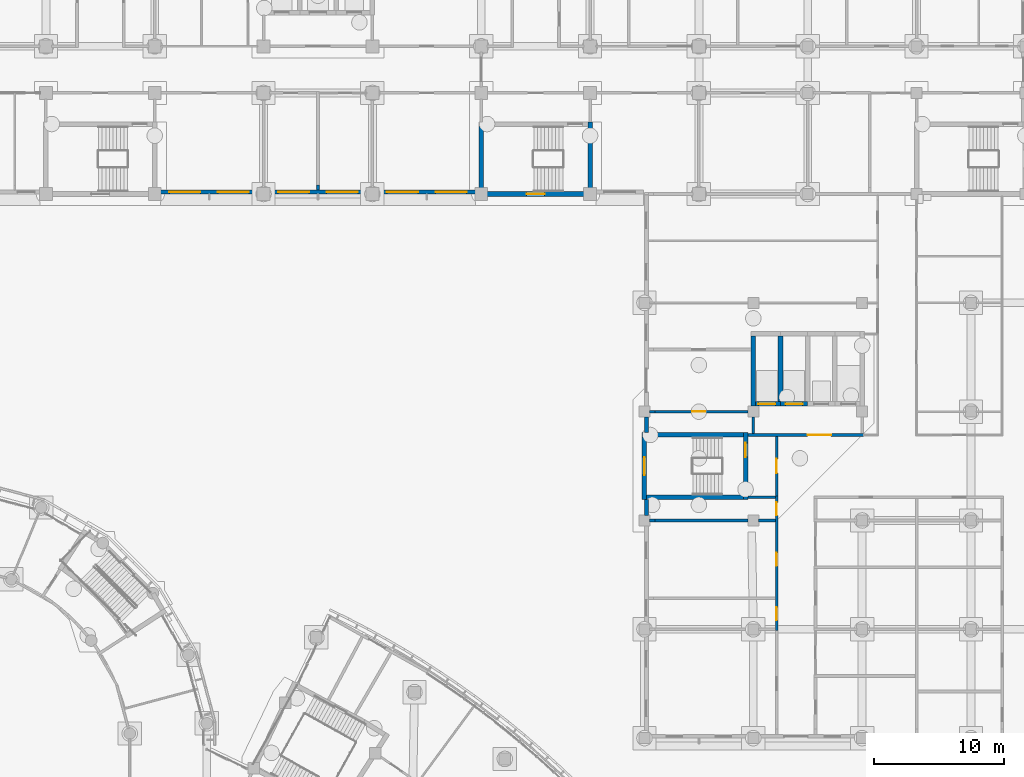
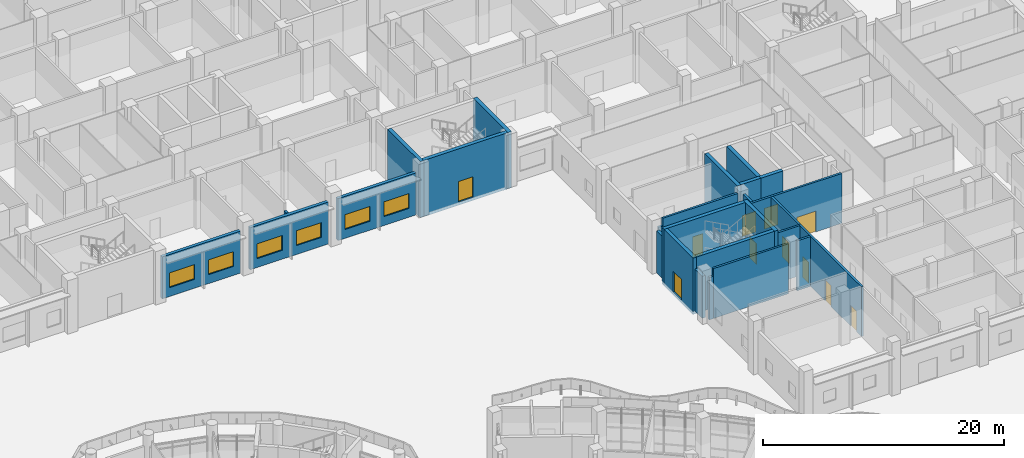
# One storey, part 82 of 146: 27 walls, 11 doors, 6 windows, 17 openings.
"""IFC4 building model written with IfcOpenShell, lengths in metres."""

import ifcopenshell
import ifcopenshell.guid

model = None  # the IFC model being written
_history = None  # IfcOwnerHistory: only IFC2X3 demands one
_inside = {}  # id of a spatial element -> (the spatial element, [elements in it])
_under = {}  # id of a project, library or spatial element -> (it, [spatial elements below it])
_declared = {}  # id of a project -> (the project, [libraries it declares])
_typed = {}  # id of a type object -> (the type object, [elements of that type])
_made_of = {}  # id of a material, layer set ... -> (it, [elements and type objects made of it])


def new_model(schema):
    """Start an empty IFC model of exactly this schema.

    Asked for "IFC4X3", IfcOpenShell would pick the latest addendum, in which some entities
    have other attributes; the version numbers below select the first issue.
    IFC2X3 requires an IfcOwnerHistory on every rooted entity: one is made here for all.
    """
    global model, _history
    if schema == "IFC4X3":
        model = ifcopenshell.file(schema_version=(4, 3, 0, 0))
    else:
        model = ifcopenshell.file(schema=schema)
    _inside.clear()
    _under.clear()
    _declared.clear()
    _typed.clear()
    _made_of.clear()
    _history = None
    if model.schema == "IFC2X3":
        org = make("IfcOrganization", Name="unknown")
        user = make(
            "IfcPersonAndOrganization",
            ThePerson=make("IfcPerson", FamilyName="unknown"),
            TheOrganization=org,
        )
        app = make(
            "IfcApplication",
            ApplicationDeveloper=org,
            Version="unknown",
            ApplicationFullName="unknown",
            ApplicationIdentifier="unknown",
        )
        _history = make(
            "IfcOwnerHistory",
            OwningUser=user,
            OwningApplication=app,
            ChangeAction="ADDED",
            CreationDate=0,
        )
    return model


def make(cls, **values):
    """One entity of the class cls with the attributes given. An attribute that is None is left unset."""
    return model.create_entity(
        cls, **{name: value for name, value in values.items() if value is not None}
    )


def rooted(cls, **values):
    """An entity with a GlobalId (a new one), such as an element, a storey or a relation."""
    return make(cls, GlobalId=ifcopenshell.guid.new(), OwnerHistory=_history, **values)


def si_unit(unit_type, name, prefix=None):
    """IfcSIUnit, for example si_unit("LENGTHUNIT", "METRE", prefix="MILLI")."""
    return make("IfcSIUnit", UnitType=unit_type, Prefix=prefix, Name=name)


def assignment(units):
    """IfcUnitAssignment: the units of a project."""
    return None if units is None else make("IfcUnitAssignment", Units=units)


def point(xyz):
    """IfcCartesianPoint."""
    return None if xyz is None else make("IfcCartesianPoint", Coordinates=xyz)


def direction(xyz):
    """IfcDirection."""
    return None if xyz is None else make("IfcDirection", DirectionRatios=xyz)


def frame(location, z_axis=None, x_axis=None):
    """IfcAxis2Placement3D, a coordinate frame: its origin and axes. An axis left out is left unset."""
    return make(
        "IfcAxis2Placement3D",
        Location=point(location),
        Axis=direction(z_axis),
        RefDirection=direction(x_axis),
    )


def frame_2d(location, x_axis=None):
    """IfcAxis2Placement2D, a coordinate frame in the plane: its origin and x axis."""
    return make(
        "IfcAxis2Placement2D", Location=point(location), RefDirection=direction(x_axis)
    )


def origin():
    """The frame at (0, 0, 0) with its axes left unset."""
    return frame((0.0, 0.0, 0.0))


def place(relative_to, where):
    """IfcLocalPlacement: puts the frame where relative to a parent placement (None: the world)."""
    return make(
        "IfcLocalPlacement", PlacementRelTo=relative_to, RelativePlacement=where
    )


def context(
    kind, dimensions, precision=None, world=None, true_north=None, identifier=None
):
    """IfcGeometricRepresentationContext, for example the 3D "Model" context."""
    return make(
        "IfcGeometricRepresentationContext",
        ContextIdentifier=identifier,
        ContextType=kind,
        CoordinateSpaceDimension=dimensions,
        Precision=precision,
        WorldCoordinateSystem=world,
        TrueNorth=true_north,
    )


def subcontext(parent, identifier, kind, view, scale=None):
    """IfcGeometricRepresentationSubContext, for example "Body" below "Model"."""
    return make(
        "IfcGeometricRepresentationSubContext",
        ContextIdentifier=identifier,
        ContextType=kind,
        ParentContext=parent,
        TargetScale=scale,
        TargetView=view,
    )


def project(units=None, contexts=None):
    """IfcProject with its units and contexts."""
    return rooted(
        "IfcProject",
        Name="project",
        RepresentationContexts=contexts,
        UnitsInContext=assignment(units),
    )


def spatial(cls, under=None, at=None, **own):
    """A site, building, storey or space (cls), placed at a placement, below another one or the project."""
    s = rooted(cls, ObjectPlacement=at, **own)
    if under is not None:
        _under.setdefault(under.id(), (under, []))[1].append(s)
    return s


def profile(cls, at=None, kind="AREA", **sizes):
    """A parametric profile (cls). Its sizes go by their IFC names, for example OverallWidth=200.0."""
    return make(cls, ProfileType=kind, Position=at, **sizes)


def rectangle(**sizes):
    """IfcRectangleProfileDef."""
    return profile("IfcRectangleProfileDef", **sizes)


def extrude(swept, where, along, depth):
    """IfcExtrudedAreaSolid: the profile swept, set in the frame where, extruded along a direction by depth."""
    return make(
        "IfcExtrudedAreaSolid",
        SweptArea=swept,
        Position=where,
        ExtrudedDirection=direction(along),
        Depth=depth,
    )


def shape(context_of_items, identifier, shape_type, items):
    """IfcShapeRepresentation: the items that make up one representation, for example the "Body"."""
    return make(
        "IfcShapeRepresentation",
        ContextOfItems=context_of_items,
        RepresentationIdentifier=identifier,
        RepresentationType=shape_type,
        Items=items,
    )


def material(Name=None, Category=None):
    """IfcMaterial."""
    return make("IfcMaterial", Name=Name, Category=Category)


def layer(
    of_material, thickness, ventilated=None, Name=None, Category=None, Priority=None
):
    """IfcMaterialLayer: one layer of a wall or slab, of a material (None: an air gap)."""
    return make(
        "IfcMaterialLayer",
        Material=of_material,
        LayerThickness=thickness,
        IsVentilated=ventilated,
        Name=Name,
        Category=Category,
        Priority=Priority,
    )


def layer_set(layers, Name=None):
    """IfcMaterialLayerSet."""
    return make("IfcMaterialLayerSet", MaterialLayers=layers, LayerSetName=Name)


def made_of(thing, what):
    """Note that an element or type object is made of a material, layer set ...; save() writes the relation."""
    if what is not None:
        _made_of.setdefault(what.id(), (what, []))[1].append(thing)
    return thing


def type_object(cls, material=None, **own):
    """A type object (cls), such as IfcWallType, which elements share."""
    return made_of(rooted(cls, **own), material)


def element(
    cls,
    number,
    at=None,
    inside=None,
    cuts=None,
    type_object=None,
    material=None,
    context=None,
    identifier="Body",
    shape_type=None,
    held_by="IfcProductDefinitionShape",
    body=None,
    shapes=None,
    **own,
):
    """One element of the class cls, such as IfcWall. Its Tag is "e" and its number.

    at: its placement. inside: the storey or other place that contains it. cuts: it is an
    opening in that element (IfcRelVoidsElement). A single representation is given by context,
    identifier, shape_type and body (its items); several are given by shapes. held_by: the class
    of the entity that holds the representations. save() writes the other relations.
    """
    e = rooted(cls, Tag="e%d" % number, ObjectPlacement=at, **own)
    if body is not None:
        shapes = [shape(context, identifier, shape_type, body)]
    if shapes is not None:
        e.Representation = make(held_by, Representations=shapes)
    if inside is not None:
        _inside.setdefault(inside.id(), (inside, []))[1].append(e)
    if cuts is not None:
        rooted(
            "IfcRelVoidsElement", RelatingBuildingElement=cuts, RelatedOpeningElement=e
        )
    if type_object is not None:
        _typed.setdefault(type_object.id(), (type_object, []))[1].append(e)
    return made_of(e, material)


def fill(opening, filler):
    """IfcRelFillsElement: the door or window that sits in an opening."""
    return rooted(
        "IfcRelFillsElement",
        RelatingOpeningElement=opening,
        RelatedBuildingElement=filler,
    )


def aggregate(whole, parts):
    """IfcRelAggregates: a whole, such as a stair, and the parts it consists of."""
    return rooted("IfcRelAggregates", RelatingObject=whole, RelatedObjects=parts)


def save(model, path):
    """Write the relations noted so far, then the file.

    IfcRelAggregates (storeys below a building ...), IfcRelContainedInSpatialStructure (elements
    in a storey), IfcRelDefinesByType, IfcRelAssociatesMaterial and IfcRelDeclares: one each for
    every whole, place, type object, material and project.
    """
    for whole, parts in _under.values():
        aggregate(whole, parts)
    for where, things in _inside.values():
        rooted(
            "IfcRelContainedInSpatialStructure",
            RelatedElements=things,
            RelatingStructure=where,
        )
    for kind, things in _typed.values():
        rooted("IfcRelDefinesByType", RelatedObjects=things, RelatingType=kind)
    for what, things in _made_of.values():
        rooted("IfcRelAssociatesMaterial", RelatedObjects=things, RelatingMaterial=what)
    for by, libraries in _declared.values():
        rooted("IfcRelDeclares", RelatingContext=by, RelatedDefinitions=libraries)
    model.write(path)


model = new_model("IFC4")

# Units and contexts
model_context = context("Model", 3, precision=1e-05, world=origin(), true_north=direction((0.0, 1.0)))
body_context = subcontext(model_context, "Body", "Model", "MODEL_VIEW")
ifc_project = project(units=[si_unit("LENGTHUNIT", "METRE"), si_unit("AREAUNIT", "SQUARE_METRE"), si_unit("VOLUMEUNIT", "CUBIC_METRE"), si_unit("PLANEANGLEUNIT", "RADIAN"), si_unit("MASSUNIT", "GRAM", prefix="KILO")], contexts=[model_context])

# Site, building, storey
site_placement = place(None, origin())
site = spatial("IfcSite", under=ifc_project, at=site_placement, CompositionType="ELEMENT")
building_placement = place(site_placement, origin())
building = spatial("IfcBuilding", under=site, at=building_placement, Name="Bougainvillea Quay General Hospital", CompositionType="ELEMENT")
storey_placement = place(building_placement, origin())
storey = spatial("IfcBuildingStorey", under=building, at=storey_placement, Name="L00", CompositionType="ELEMENT", Elevation=0.0)

# Wall, openings, windows
ifc_material_1 = material(Name="Pale stone rainscreen cladding on insulated masonry backing, pale stone", Category="masonry")
ifc_layer_1 = layer(ifc_material_1, 0.300048828125)
ifc_layer_set_1 = layer_set([ifc_layer_1], Name="Pale stone rainscreen cladding on insulated masonry backing, pale stone")
wall_type_1 = type_object("IfcWallType", Name="External wall pale stone rainscreen 300", PredefinedType="STANDARD", material=ifc_layer_set_1)
wall_1_placement = place(storey_placement, frame((126.449951171875, 117.75, 0.0), z_axis=(0.0, 0.0, 1.0), x_axis=(1.0, 0.0, 0.0)))
wall_1 = element("IfcWall", 1, at=wall_1_placement, inside=storey, type_object=wall_type_1, Name="External wall wall/V4/L00/p1/00d", PredefinedType="STANDARD", context=body_context, shape_type="SweptSolid", body=[
    extrude(rectangle(XDim=7.5, YDim=0.300048828125, at=frame_2d((3.75, 0.0))), origin(), (0.0, 0.0, 1.0), 4.25),
])
opening_1_placement = place(wall_1_placement, frame((0.675048828125, 0.0, 0.89990234375)))
opening_1 = element("IfcOpeningElement", 2, at=opening_1_placement, cuts=wall_1, Name="Opening W3", PredefinedType="OPENING", context=body_context, shape_type="SweptSolid", body=[
    extrude(rectangle(XDim=2.39990234375, YDim=1.5, at=frame_2d((1.199951171875, 0.75))), frame((0.0, 0.159912109375, 0.0), z_axis=(0.0, -1.0, 0.0), x_axis=(1.0, 0.0, 0.0)), (0.0, 0.0, 1.0), 0.320068359375),
])
opening_2_placement = place(wall_1_placement, frame((4.425048828125, 0.0, 0.89990234375)))
opening_2 = element("IfcOpeningElement", 3, at=opening_2_placement, cuts=wall_1, Name="Opening W3", PredefinedType="OPENING", context=body_context, shape_type="SweptSolid", body=[
    extrude(rectangle(XDim=2.39990234375, YDim=1.5, at=frame_2d((1.199951171875, 0.75))), frame((0.0, 0.159912109375, 0.0), z_axis=(0.0, -1.0, 0.0), x_axis=(1.0, 0.0, 0.0)), (0.0, 0.0, 1.0), 0.320068359375),
])
ifc_material_2 = material(Name="Aluminium window frame with low-e double glazed unit", Category="aluminium")
window_type = type_object("IfcWindowType", Name="Window W3 2400x1500", PartitioningType="TRIPLE_PANEL_VERTICAL", PredefinedType="WINDOW", material=ifc_material_2)
window_1_placement = place(opening_1_placement, origin())
window_1 = element("IfcWindow", 4, at=window_1_placement, inside=storey, type_object=window_type, Name="Window W3 1", OverallHeight=1.5, OverallWidth=2.39990234375, PartitioningType="SINGLE_PANEL", PredefinedType="WINDOW", context=body_context, shape_type="SweptSolid", body=[
    extrude(rectangle(XDim=2.39990234375, YDim=1.5, at=frame_2d((1.199951171875, 0.75))), frame((0.0, 0.030029296875, 0.0), z_axis=(0.0, -1.0, 0.0), x_axis=(1.0, 0.0, 0.0)), (0.0, 0.0, 1.0), 0.06005859375),
])
fill(opening_1, window_1)
window_2_placement = place(opening_2_placement, origin())
window_2 = element("IfcWindow", 5, at=window_2_placement, inside=storey, type_object=window_type, Name="Window W3 2", OverallHeight=1.5, OverallWidth=2.39990234375, PartitioningType="SINGLE_PANEL", PredefinedType="WINDOW", context=body_context, shape_type="SweptSolid", body=[
    extrude(rectangle(XDim=2.39990234375, YDim=1.5, at=frame_2d((1.199951171875, 0.75))), frame((0.0, 0.030029296875, 0.0), z_axis=(0.0, -1.0, 0.0), x_axis=(1.0, 0.0, 0.0)), (0.0, 0.0, 1.0), 0.06005859375),
])
fill(opening_2, window_2)

wall_2_placement = place(storey_placement, frame((134.85009765625, 117.75, 0.0), z_axis=(0.0, 0.0, 1.0), x_axis=(1.0, 0.0, 0.0)))
wall_2 = element("IfcWall", 6, at=wall_2_placement, inside=storey, type_object=wall_type_1, Name="External wall wall/V4/L00/p1/00e", PredefinedType="STANDARD", context=body_context, shape_type="SweptSolid", body=[
    extrude(rectangle(XDim=7.5, YDim=0.300048828125, at=frame_2d((3.75, 0.0))), origin(), (0.0, 0.0, 1.0), 4.25),
])
opening_3_placement = place(wall_2_placement, frame((0.675048828125, 0.0, 0.89990234375)))
opening_3 = element("IfcOpeningElement", 7, at=opening_3_placement, cuts=wall_2, Name="Opening W3", PredefinedType="OPENING", context=body_context, shape_type="SweptSolid", body=[
    extrude(rectangle(XDim=2.39990234375, YDim=1.5, at=frame_2d((1.199951171875, 0.75))), frame((0.0, 0.159912109375, 0.0), z_axis=(0.0, -1.0, 0.0), x_axis=(1.0, 0.0, 0.0)), (0.0, 0.0, 1.0), 0.320068359375),
])
opening_4_placement = place(wall_2_placement, frame((4.425048828125, 0.0, 0.89990234375)))
opening_4 = element("IfcOpeningElement", 8, at=opening_4_placement, cuts=wall_2, Name="Opening W3", PredefinedType="OPENING", context=body_context, shape_type="SweptSolid", body=[
    extrude(rectangle(XDim=2.39990234375, YDim=1.5, at=frame_2d((1.199951171875, 0.75))), frame((0.0, 0.159912109375, 0.0), z_axis=(0.0, -1.0, 0.0), x_axis=(1.0, 0.0, 0.0)), (0.0, 0.0, 1.0), 0.320068359375),
])
window_3_placement = place(opening_3_placement, origin())
window_3 = element("IfcWindow", 9, at=window_3_placement, inside=storey, type_object=window_type, Name="Window W3 1", OverallHeight=1.5, OverallWidth=2.39990234375, PartitioningType="SINGLE_PANEL", PredefinedType="WINDOW", context=body_context, shape_type="SweptSolid", body=[
    extrude(rectangle(XDim=2.39990234375, YDim=1.5, at=frame_2d((1.199951171875, 0.75))), frame((0.0, 0.030029296875, 0.0), z_axis=(0.0, -1.0, 0.0), x_axis=(1.0, 0.0, 0.0)), (0.0, 0.0, 1.0), 0.06005859375),
])
fill(opening_3, window_3)
window_4_placement = place(opening_4_placement, origin())
window_4 = element("IfcWindow", 10, at=window_4_placement, inside=storey, type_object=window_type, Name="Window W3 2", OverallHeight=1.5, OverallWidth=2.39990234375, PartitioningType="SINGLE_PANEL", PredefinedType="WINDOW", context=body_context, shape_type="SweptSolid", body=[
    extrude(rectangle(XDim=2.39990234375, YDim=1.5, at=frame_2d((1.199951171875, 0.75))), frame((0.0, 0.030029296875, 0.0), z_axis=(0.0, -1.0, 0.0), x_axis=(1.0, 0.0, 0.0)), (0.0, 0.0, 1.0), 0.06005859375),
])
fill(opening_4, window_4)

wall_3_placement = place(storey_placement, frame((143.25, 117.75, 0.0), z_axis=(0.0, 0.0, 1.0), x_axis=(1.0, 0.0, 0.0)))
wall_3 = element("IfcWall", 11, at=wall_3_placement, inside=storey, type_object=wall_type_1, Name="External wall wall/V4/L00/p1/00f", PredefinedType="STANDARD", context=body_context, shape_type="SweptSolid", body=[
    extrude(rectangle(XDim=7.5, YDim=0.300048828125, at=frame_2d((3.75, 0.0))), origin(), (0.0, 0.0, 1.0), 4.25),
])
opening_5_placement = place(wall_3_placement, frame((0.675048828125, 0.0, 0.89990234375)))
opening_5 = element("IfcOpeningElement", 12, at=opening_5_placement, cuts=wall_3, Name="Opening W3", PredefinedType="OPENING", context=body_context, shape_type="SweptSolid", body=[
    extrude(rectangle(XDim=2.39990234375, YDim=1.5, at=frame_2d((1.199951171875, 0.75))), frame((0.0, 0.159912109375, 0.0), z_axis=(0.0, -1.0, 0.0), x_axis=(1.0, 0.0, 0.0)), (0.0, 0.0, 1.0), 0.320068359375),
])
opening_6_placement = place(wall_3_placement, frame((4.425048828125, 0.0, 0.89990234375)))
opening_6 = element("IfcOpeningElement", 13, at=opening_6_placement, cuts=wall_3, Name="Opening W3", PredefinedType="OPENING", context=body_context, shape_type="SweptSolid", body=[
    extrude(rectangle(XDim=2.39990234375, YDim=1.5, at=frame_2d((1.199951171875, 0.75))), frame((0.0, 0.159912109375, 0.0), z_axis=(0.0, -1.0, 0.0), x_axis=(1.0, 0.0, 0.0)), (0.0, 0.0, 1.0), 0.320068359375),
])
window_5_placement = place(opening_5_placement, origin())
window_5 = element("IfcWindow", 14, at=window_5_placement, inside=storey, type_object=window_type, Name="Window W3 1", OverallHeight=1.5, OverallWidth=2.39990234375, PartitioningType="SINGLE_PANEL", PredefinedType="WINDOW", context=body_context, shape_type="SweptSolid", body=[
    extrude(rectangle(XDim=2.39990234375, YDim=1.5, at=frame_2d((1.199951171875, 0.75))), frame((0.0, 0.030029296875, 0.0), z_axis=(0.0, -1.0, 0.0), x_axis=(1.0, 0.0, 0.0)), (0.0, 0.0, 1.0), 0.06005859375),
])
fill(opening_5, window_5)
window_6_placement = place(opening_6_placement, origin())
window_6 = element("IfcWindow", 15, at=window_6_placement, inside=storey, type_object=window_type, Name="Window W3 2", OverallHeight=1.5, OverallWidth=2.39990234375, PartitioningType="SINGLE_PANEL", PredefinedType="WINDOW", context=body_context, shape_type="SweptSolid", body=[
    extrude(rectangle(XDim=2.39990234375, YDim=1.5, at=frame_2d((1.199951171875, 0.75))), frame((0.0, 0.030029296875, 0.0), z_axis=(0.0, -1.0, 0.0), x_axis=(1.0, 0.0, 0.0)), (0.0, 0.0, 1.0), 0.06005859375),
])
fill(opening_6, window_6)

# Walls
ifc_material_3 = material(Name="Terracotta rainscreen cladding on insulated masonry backing, terracotta", Category="masonry")
ifc_layer_2 = layer(ifc_material_3, 0.300048828125)
ifc_layer_set_2 = layer_set([ifc_layer_2], Name="Terracotta rainscreen cladding on insulated masonry backing, terracotta")
wall_type_2 = type_object("IfcWallType", Name="External wall terracotta rainscreen 300", PredefinedType="STANDARD", material=ifc_layer_set_2)
for number, where, z_axis, x_axis, name in (
    (16, (163.949951171875, 100.39990234375, 0.0), (0.0, 0.0, 1.0), (0.0, -1.0, 0.0), "External wall wall/V3/L00/p0/00c"),
    (17, (163.949951171875, 94.02490234375, 0.0), (0.0, 0.0, 1.0), (0.0, -1.0, 0.0), "External wall wall/V3/L00/p0/00d"),
):
    element("IfcWall", number, at=place(storey_placement, frame(where, z_axis=z_axis, x_axis=x_axis)), inside=storey, type_object=wall_type_2, Name=name, PredefinedType="STANDARD", context=body_context, shape_type="SweptSolid", body=[
        extrude(rectangle(XDim=1.224853515625, YDim=0.300048828125, at=frame_2d((0.6123046875, 0.0))), origin(), (0.0, 0.0, 1.0), 4.25),
    ])

# Wall, opening, door
ifc_material_4 = material(Name="Fire-rated autoclaved aerated block wall, plastered")
ifc_layer_3 = layer(ifc_material_4, 0.199951171875)
ifc_layer_set_3 = layer_set([ifc_layer_3], Name="Fire-rated autoclaved aerated block wall, plastered")
wall_type_3 = type_object("IfcWallType", Name="Partition 200 Fire-rated autoclaved aerated block wall EI 120", PredefinedType="SOLIDWALL", material=ifc_layer_set_3)
wall_4_placement = place(storey_placement, frame((180.699951171875, 99.0, 0.0), z_axis=(0.0, 0.0, 1.0), x_axis=(-1.0, 0.0, 0.0)))
wall_4 = element("IfcWall", 18, at=wall_4_placement, inside=storey, type_object=wall_type_3, Name="Partition 200 mm EI 120", PredefinedType="SOLIDWALL", context=body_context, shape_type="SweptSolid", body=[
    extrude(rectangle(XDim=8.925048828125, YDim=0.199951171875, at=frame_2d((4.46240234375, 0.0))), origin(), (0.0, 0.0, 1.0), 5.050048828125),
])
opening_7_placement = place(wall_4_placement, frame((2.5, 0.0, 0.0)))
opening_7 = element("IfcOpeningElement", 19, at=opening_7_placement, cuts=wall_4, Name="Opening L00.059", PredefinedType="OPENING", context=body_context, shape_type="SweptSolid", body=[
    extrude(rectangle(XDim=1.800048828125, YDim=2.10009765625, at=frame_2d((0.89990234375, 1.050048828125))), frame((0.0, 0.10986328125, 0.0), z_axis=(0.0, -1.0, 0.0), x_axis=(1.0, 0.0, 0.0)), (0.0, 0.0, 1.0), 0.219970703125),
])
ifc_material_5 = material(Name="Steel fire door leaves in steel frame", Category="steel")
door_type_1 = type_object("IfcDoorType", Name="Steel double leaf door 1800x2100 FD60", OperationType="DOUBLE_DOOR_SINGLE_SWING", PredefinedType="DOOR", material=ifc_material_5)
door_1_placement = place(opening_7_placement, frame((1.800048828125, 0.0, 0.0), z_axis=(0.0, 0.0, 1.0), x_axis=(-1.0, 0.0, 0.0)))
door_1 = element("IfcDoor", 20, at=door_1_placement, inside=storey, type_object=door_type_1, Name="DT05 L00.059", OperationType="DOUBLE_DOOR_SINGLE_SWING", OverallHeight=2.10009765625, OverallWidth=1.800048828125, PredefinedType="DOOR", context=body_context, shape_type="SweptSolid", body=[
    extrude(rectangle(XDim=1.800048828125, YDim=2.10009765625, at=frame_2d((0.89990234375, 1.050048828125))), frame((0.0, 0.02490234375, 0.0), z_axis=(0.0, -1.0, 0.0), x_axis=(1.0, 0.0, 0.0)), (0.0, 0.0, 1.0), 0.050048828125),
])
fill(opening_7, door_1)

# Walls
wall_5_placement = place(storey_placement, frame((172.199951171875, 99.10009765625, 0.0), z_axis=(0.0, 0.0, 1.0), x_axis=(0.0, 1.0, 0.0)))
element("IfcWall", 21, at=wall_5_placement, inside=storey, type_object=wall_type_3, Name="Partition 200 mm EI 120", PredefinedType="SOLIDWALL", context=body_context, shape_type="SweptSolid", body=[
    extrude(rectangle(XDim=1.2998046875, YDim=0.199951171875, at=frame_2d((0.64990234375, 0.0))), origin(), (0.0, 0.0, 1.0), 5.050048828125),
])
wall_6_placement = place(storey_placement, frame((138.60009765625, 117.89990234375, 0.0), z_axis=(0.0, 0.0, 1.0), x_axis=(0.0, 1.0, 0.0)))
element("IfcWall", 22, at=wall_6_placement, inside=storey, type_object=wall_type_3, Name="Partition 200 mm EI 120", PredefinedType="SOLIDWALL", context=body_context, shape_type="SweptSolid", body=[
    extrude(rectangle(XDim=0.400146484375, YDim=0.199951171875, at=frame_2d((0.2001953125, 0.0))), origin(), (0.0, 0.0, 1.0), 4.280029296875),
])

# Wall, opening, door
wall_7_placement = place(storey_placement, frame((174.0, 94.300048828125, 0.0), z_axis=(0.0, 0.0, 1.0), x_axis=(0.0, 1.0, 0.0)))
wall_7 = element("IfcWall", 23, at=wall_7_placement, inside=storey, type_object=wall_type_3, Name="Partition 200 mm EI 120", PredefinedType="SOLIDWALL", context=body_context, shape_type="SweptSolid", body=[
    extrude(rectangle(XDim=4.599853515625, YDim=0.199951171875, at=frame_2d((2.2998046875, 0.0))), origin(), (0.0, 0.0, 1.0), 5.050048828125),
])
opening_8_placement = place(wall_7_placement, frame((1.75, 0.0, 0.0)))
opening_8 = element("IfcOpeningElement", 24, at=opening_8_placement, cuts=wall_7, Name="Opening L00.057", PredefinedType="OPENING", context=body_context, shape_type="SweptSolid", body=[
    extrude(rectangle(XDim=1.10009765625, YDim=2.10009765625, at=frame_2d((0.550048828125, 1.050048828125))), frame((0.0, 0.10986328125, 0.0), z_axis=(0.0, -1.0, 0.0), x_axis=(1.0, 0.0, 0.0)), (0.0, 0.0, 1.0), 0.219970703125),
])
ifc_material_6 = material(Name="Steel fire door leaf in steel frame", Category="steel")
door_type_2 = type_object("IfcDoorType", Name="Steel single leaf door 1100x2100 FD60", OperationType="NOTDEFINED", PredefinedType="DOOR", material=ifc_material_6)
door_2_placement = place(opening_8_placement, origin())
door_2 = element("IfcDoor", 25, at=door_2_placement, inside=storey, type_object=door_type_2, Name="DT04 L00.057", OperationType="SINGLE_SWING_LEFT", OverallHeight=2.10009765625, OverallWidth=1.10009765625, PredefinedType="DOOR", context=body_context, shape_type="SweptSolid", body=[
    extrude(rectangle(XDim=1.10009765625, YDim=2.10009765625, at=frame_2d((0.550048828125, 1.050048828125))), frame((0.0, 0.02490234375, 0.0), z_axis=(0.0, -1.0, 0.0), x_axis=(1.0, 0.0, 0.0)), (0.0, 0.0, 1.0), 0.050048828125),
])
fill(opening_8, door_2)

# Wall
wall_8_placement = place(storey_placement, frame((171.77490234375, 94.199951171875, 0.0), z_axis=(0.0, 0.0, 1.0), x_axis=(1.0, 0.0, 0.0)))
element("IfcWall", 26, at=wall_8_placement, inside=storey, type_object=wall_type_3, Name="Partition 200 mm EI 120", PredefinedType="SOLIDWALL", context=body_context, shape_type="SweptSolid", body=[
    extrude(rectangle(XDim=2.125, YDim=0.199951171875, at=frame_2d((1.0625, 0.0))), origin(), (0.0, 0.0, 1.0), 5.050048828125),
])

# Wall, openings, doors
ifc_layer_4 = layer(ifc_material_4, 0.199951171875)
ifc_layer_set_4 = layer_set([ifc_layer_4], Name="Fire-rated autoclaved aerated block wall, plastered")
wall_type_4 = type_object("IfcWallType", Name="Partition 200 Fire-rated autoclaved aerated block wall EI 60", PredefinedType="SOLIDWALL", material=ifc_layer_set_4)
wall_9_placement = place(storey_placement, frame((174.0, 94.300048828125, 0.0), z_axis=(0.0, 0.0, 1.0), x_axis=(0.0, -1.0, 0.0)))
wall_9 = element("IfcWall", 27, at=wall_9_placement, inside=storey, type_object=wall_type_4, Name="Partition 200 mm EI 60", PredefinedType="SOLIDWALL", context=body_context, shape_type="SweptSolid", body=[
    extrude(rectangle(XDim=10.400146484375, YDim=0.199951171875, at=frame_2d((5.2001953125, 0.0))), origin(), (0.0, 0.0, 1.0), 5.050048828125),
])
opening_9_placement = place(wall_9_placement, frame((0.5, 0.0, 0.0)))
opening_9 = element("IfcOpeningElement", 28, at=opening_9_placement, cuts=wall_9, Name="Opening L00.096", PredefinedType="OPENING", context=body_context, shape_type="SweptSolid", body=[
    extrude(rectangle(XDim=1.0, YDim=2.10009765625, at=frame_2d((0.5, 1.050048828125))), frame((0.0, 0.10986328125, 0.0), z_axis=(0.0, -1.0, 0.0), x_axis=(1.0, 0.0, 0.0)), (0.0, 0.0, 1.0), 0.219970703125),
])
opening_10_placement = place(wall_9_placement, frame((4.39990234375, 0.0, 0.0)))
opening_10 = element("IfcOpeningElement", 29, at=opening_10_placement, cuts=wall_9, Name="Opening L00.097", PredefinedType="OPENING", context=body_context, shape_type="SweptSolid", body=[
    extrude(rectangle(XDim=1.0, YDim=2.10009765625, at=frame_2d((0.5, 1.050048828125))), frame((0.0, 0.10986328125, 0.0), z_axis=(0.0, -1.0, 0.0), x_axis=(1.0, 0.0, 0.0)), (0.0, 0.0, 1.0), 0.219970703125),
])
opening_11_placement = place(wall_9_placement, frame((8.60009765625, 0.0, 0.0)))
opening_11 = element("IfcOpeningElement", 30, at=opening_11_placement, cuts=wall_9, Name="Opening L00.098", PredefinedType="OPENING", context=body_context, shape_type="SweptSolid", body=[
    extrude(rectangle(XDim=1.0, YDim=2.10009765625, at=frame_2d((0.5, 1.050048828125))), frame((0.0, 0.10986328125, 0.0), z_axis=(0.0, -1.0, 0.0), x_axis=(1.0, 0.0, 0.0)), (0.0, 0.0, 1.0), 0.219970703125),
])
door_type_3 = type_object("IfcDoorType", Name="Steel single leaf door 1000x2100 FD60", OperationType="NOTDEFINED", PredefinedType="DOOR", material=ifc_material_6)
door_3_placement = place(opening_9_placement, frame((1.0, 0.0, 0.0), z_axis=(0.0, 0.0, 1.0), x_axis=(-1.0, 0.0, 0.0)))
door_3 = element("IfcDoor", 31, at=door_3_placement, inside=storey, type_object=door_type_3, Name="DT10 L00.096", OperationType="SINGLE_SWING_RIGHT", OverallHeight=2.10009765625, OverallWidth=1.0, PredefinedType="DOOR", context=body_context, shape_type="SweptSolid", body=[
    extrude(rectangle(XDim=1.0, YDim=2.10009765625, at=frame_2d((0.5, 1.050048828125))), frame((0.0, 0.02490234375, 0.0), z_axis=(0.0, -1.0, 0.0), x_axis=(1.0, 0.0, 0.0)), (0.0, 0.0, 1.0), 0.050048828125),
])
fill(opening_9, door_3)
door_4_placement = place(opening_10_placement, frame((1.0, 0.0, 0.0), z_axis=(0.0, 0.0, 1.0), x_axis=(-1.0, 0.0, 0.0)))
door_4 = element("IfcDoor", 32, at=door_4_placement, inside=storey, type_object=door_type_3, Name="DT10 L00.097", OperationType="SINGLE_SWING_RIGHT", OverallHeight=2.10009765625, OverallWidth=1.0, PredefinedType="DOOR", context=body_context, shape_type="SweptSolid", body=[
    extrude(rectangle(XDim=1.0, YDim=2.10009765625, at=frame_2d((0.5, 1.050048828125))), frame((0.0, 0.02490234375, 0.0), z_axis=(0.0, -1.0, 0.0), x_axis=(1.0, 0.0, 0.0)), (0.0, 0.0, 1.0), 0.050048828125),
])
fill(opening_10, door_4)
door_5_placement = place(opening_11_placement, frame((1.0, 0.0, 0.0), z_axis=(0.0, 0.0, 1.0), x_axis=(-1.0, 0.0, 0.0)))
door_5 = element("IfcDoor", 33, at=door_5_placement, inside=storey, type_object=door_type_3, Name="DT10 L00.098", OperationType="SINGLE_SWING_LEFT", OverallHeight=2.10009765625, OverallWidth=1.0, PredefinedType="DOOR", context=body_context, shape_type="SweptSolid", body=[
    extrude(rectangle(XDim=1.0, YDim=2.10009765625, at=frame_2d((0.5, 1.050048828125))), frame((0.0, 0.02490234375, 0.0), z_axis=(0.0, -1.0, 0.0), x_axis=(1.0, 0.0, 0.0)), (0.0, 0.0, 1.0), 0.050048828125),
])
fill(opening_11, door_5)

# Walls
wall_10_placement = place(storey_placement, frame((164.199951171875, 92.39990234375, 0.0), z_axis=(0.0, 0.0, 1.0), x_axis=(1.0, 0.0, 0.0)))
element("IfcWall", 34, at=wall_10_placement, inside=storey, type_object=wall_type_4, Name="Partition 200 mm EI 60", PredefinedType="SOLIDWALL", context=body_context, shape_type="SweptSolid", body=[
    extrude(rectangle(XDim=0.400146484375, YDim=0.199951171875, at=frame_2d((0.2001953125, 0.0))), origin(), (0.0, 0.0, 1.0), 4.280029296875),
])
wall_11_placement = place(storey_placement, frame((164.60009765625, 92.39990234375, 0.0), z_axis=(0.0, 0.0, 1.0), x_axis=(1.0, 0.0, 0.0)))
element("IfcWall", 35, at=wall_11_placement, inside=storey, type_object=wall_type_4, Name="Partition 200 mm EI 60", PredefinedType="SOLIDWALL", context=body_context, shape_type="SweptSolid", body=[
    extrude(rectangle(XDim=7.199951171875, YDim=0.199951171875, at=frame_2d((3.60009765625, 0.0))), origin(), (0.0, 0.0, 1.0), 5.050048828125),
])
wall_12_placement = place(storey_placement, frame((172.60009765625, 92.39990234375, 0.0), z_axis=(0.0, 0.0, 1.0), x_axis=(1.0, 0.0, 0.0)))
element("IfcWall", 36, at=wall_12_placement, inside=storey, type_object=wall_type_4, Name="Partition 200 mm EI 60", PredefinedType="SOLIDWALL", context=body_context, shape_type="SweptSolid", body=[
    extrude(rectangle(XDim=1.2998046875, YDim=0.199951171875, at=frame_2d((0.64990234375, 0.0))), origin(), (0.0, 0.0, 1.0), 5.050048828125),
])
wall_13_placement = place(storey_placement, frame((164.199951171875, 100.800048828125, 0.0), z_axis=(0.0, 0.0, 1.0), x_axis=(1.0, 0.0, 0.0)))
element("IfcWall", 37, at=wall_13_placement, inside=storey, type_object=wall_type_4, Name="Partition 200 mm EI 60", PredefinedType="SOLIDWALL", context=body_context, shape_type="SweptSolid", body=[
    extrude(rectangle(XDim=0.400146484375, YDim=0.199951171875, at=frame_2d((0.2001953125, 0.0))), origin(), (0.0, 0.0, 1.0), 4.280029296875),
])

# Wall, opening, door
wall_14_placement = place(storey_placement, frame((164.60009765625, 100.800048828125, 0.0), z_axis=(0.0, 0.0, 1.0), x_axis=(1.0, 0.0, 0.0)))
wall_14 = element("IfcWall", 38, at=wall_14_placement, inside=storey, type_object=wall_type_4, Name="Partition 200 mm EI 60", PredefinedType="SOLIDWALL", context=body_context, shape_type="SweptSolid", body=[
    extrude(rectangle(XDim=7.199951171875, YDim=0.199951171875, at=frame_2d((3.60009765625, 0.0))), origin(), (0.0, 0.0, 1.0), 5.050048828125),
])
opening_12_placement = place(wall_14_placement, frame((2.89990234375, 0.0, 0.0)))
opening_12 = element("IfcOpeningElement", 39, at=opening_12_placement, cuts=wall_14, Name="Opening L00.216", PredefinedType="OPENING", context=body_context, shape_type="SweptSolid", body=[
    extrude(rectangle(XDim=1.0, YDim=2.10009765625, at=frame_2d((0.5, 1.050048828125))), frame((0.0, 0.10986328125, 0.0), z_axis=(0.0, -1.0, 0.0), x_axis=(1.0, 0.0, 0.0)), (0.0, 0.0, 1.0), 0.219970703125),
])
door_6_placement = place(opening_12_placement, frame((1.0, 0.0, 0.0), z_axis=(0.0, 0.0, 1.0), x_axis=(-1.0, 0.0, 0.0)))
door_6 = element("IfcDoor", 40, at=door_6_placement, inside=storey, type_object=door_type_3, Name="DT10 L00.216", OperationType="SINGLE_SWING_RIGHT", OverallHeight=2.10009765625, OverallWidth=1.0, PredefinedType="DOOR", context=body_context, shape_type="SweptSolid", body=[
    extrude(rectangle(XDim=1.0, YDim=2.10009765625, at=frame_2d((0.5, 1.050048828125))), frame((0.0, 0.02490234375, 0.0), z_axis=(0.0, -1.0, 0.0), x_axis=(1.0, 0.0, 0.0)), (0.0, 0.0, 1.0), 0.050048828125),
])
fill(opening_12, door_6)

# Wall
ifc_material_7 = material(Name="Concrete C40", Category="concrete")
ifc_layer_5 = layer(ifc_material_7, 0.35009765625)
ifc_layer_set_5 = layer_set([ifc_layer_5], Name="Concrete C40")
wall_type_5 = type_object("IfcWallType", Name="RC SHEAR WALL 350 C40", PredefinedType="SHEAR", material=ifc_layer_set_5)
wall_15_placement = place(storey_placement, frame((151.199951171875, 117.425048828125, -0.300048828125), z_axis=(0.0, 0.0, 1.0), x_axis=(0.0, 1.0, 0.0)))
element("IfcWall", 41, at=wall_15_placement, inside=storey, type_object=wall_type_5, Name="Shear wall L00", PredefinedType="SHEAR", context=body_context, shape_type="SweptSolid", body=[
    extrude(rectangle(XDim=5.39990234375, YDim=0.35009765625, at=frame_2d((2.699951171875, 0.0))), origin(), (0.0, 0.0, 1.0), 5.699951171875),
])

# Wall, opening, door
wall_16_placement = place(storey_placement, frame((151.375, 117.60009765625, -0.300048828125), z_axis=(0.0, 0.0, 1.0), x_axis=(1.0, 0.0, 0.0)))
wall_16 = element("IfcWall", 42, at=wall_16_placement, inside=storey, type_object=wall_type_5, Name="Shear wall L00", PredefinedType="SHEAR", context=body_context, shape_type="SweptSolid", body=[
    extrude(rectangle(XDim=8.050048828125, YDim=0.35009765625, at=frame_2d((4.02490234375, 0.0))), origin(), (0.0, 0.0, 1.0), 5.699951171875),
])
opening_13_placement = place(wall_16_placement, frame((3.324951171875, 0.0, 0.300048828125)))
opening_13 = element("IfcOpeningElement", 43, at=opening_13_placement, cuts=wall_16, Name="Opening L00.342", PredefinedType="OPENING", context=body_context, shape_type="SweptSolid", body=[
    extrude(rectangle(XDim=1.39990234375, YDim=2.10009765625, at=frame_2d((0.699951171875, 1.050048828125))), frame((0.0, 0.18505859375, 0.0), z_axis=(0.0, -1.0, 0.0), x_axis=(1.0, 0.0, 0.0)), (0.0, 0.0, 1.0), 0.3701171875),
])
ifc_material_8 = material(Name="Steel door leaf, painted, with vision panel", Category="steel")
door_type_4 = type_object("IfcDoorType", Name="Stair discharge door 1400x2100", OperationType="SINGLE_SWING_LEFT", PredefinedType="DOOR", material=ifc_material_8)
door_7_placement = place(opening_13_placement, frame((1.39990234375, 0.0, 0.0), z_axis=(0.0, 0.0, 1.0), x_axis=(-1.0, 0.0, 0.0)))
door_7 = element("IfcDoor", 44, at=door_7_placement, inside=storey, type_object=door_type_4, Name="Stair discharge door ST-B4", OperationType="SINGLE_SWING_LEFT", OverallHeight=2.10009765625, OverallWidth=1.39990234375, PredefinedType="DOOR", context=body_context, shape_type="SweptSolid", body=[
    extrude(rectangle(XDim=1.39990234375, YDim=2.10009765625, at=frame_2d((0.699951171875, 1.050048828125))), frame((0.0, 0.02490234375, 0.0), z_axis=(0.0, -1.0, 0.0), x_axis=(1.0, 0.0, 0.0)), (0.0, 0.0, 1.0), 0.050048828125),
])
fill(opening_13, door_7)

# Walls
wall_17_placement = place(storey_placement, frame((159.60009765625, 117.425048828125, -0.300048828125), z_axis=(0.0, 0.0, 1.0), x_axis=(0.0, 1.0, 0.0)))
element("IfcWall", 45, at=wall_17_placement, inside=storey, type_object=wall_type_5, Name="Shear wall L00", PredefinedType="SHEAR", context=body_context, shape_type="SweptSolid", body=[
    extrude(rectangle(XDim=5.75, YDim=0.35009765625, at=frame_2d((2.875, 0.0))), origin(), (0.0, 0.0, 1.0), 5.699951171875),
])
wall_18_placement = place(storey_placement, frame((163.625, 99.0, -0.300048828125), z_axis=(0.0, 0.0, 1.0), x_axis=(1.0, 0.0, 0.0)))
element("IfcWall", 46, at=wall_18_placement, inside=storey, type_object=wall_type_5, Name="Shear wall L00", PredefinedType="SHEAR", context=body_context, shape_type="SweptSolid", body=[
    extrude(rectangle(XDim=7.800048828125, YDim=0.35009765625, at=frame_2d((3.89990234375, 0.0))), origin(), (0.0, 0.0, 1.0), 5.699951171875),
])

# Wall, opening, door
wall_19_placement = place(storey_placement, frame((163.800048828125, 94.02490234375, -0.300048828125), z_axis=(0.0, 0.0, 1.0), x_axis=(0.0, 1.0, 0.0)))
wall_19 = element("IfcWall", 47, at=wall_19_placement, inside=storey, type_object=wall_type_5, Name="Shear wall L00", PredefinedType="SHEAR", context=body_context, shape_type="SweptSolid", body=[
    extrude(rectangle(XDim=4.800048828125, YDim=0.35009765625, at=frame_2d((2.39990234375, 0.0))), origin(), (0.0, 0.0, 1.0), 5.699951171875),
])
opening_14_placement = place(wall_19_placement, frame((1.875, 0.0, 0.300048828125)))
opening_14 = element("IfcOpeningElement", 48, at=opening_14_placement, cuts=wall_19, Name="Opening L00.333", PredefinedType="OPENING", context=body_context, shape_type="SweptSolid", body=[
    extrude(rectangle(XDim=1.39990234375, YDim=2.10009765625, at=frame_2d((0.699951171875, 1.050048828125))), frame((0.0, 0.18505859375, 0.0), z_axis=(0.0, -1.0, 0.0), x_axis=(1.0, 0.0, 0.0)), (0.0, 0.0, 1.0), 0.3701171875),
])
door_8_placement = place(opening_14_placement, origin())
door_8 = element("IfcDoor", 49, at=door_8_placement, inside=storey, type_object=door_type_4, Name="Stair discharge door ST-T1", OperationType="SINGLE_SWING_LEFT", OverallHeight=2.10009765625, OverallWidth=1.39990234375, PredefinedType="DOOR", context=body_context, shape_type="SweptSolid", body=[
    extrude(rectangle(XDim=1.39990234375, YDim=2.10009765625, at=frame_2d((0.699951171875, 1.050048828125))), frame((0.0, 0.02490234375, 0.0), z_axis=(0.0, -1.0, 0.0), x_axis=(1.0, 0.0, 0.0)), (0.0, 0.0, 1.0), 0.050048828125),
])
fill(opening_14, door_8)

# Wall
wall_20_placement = place(storey_placement, frame((163.97509765625, 94.199951171875, -0.300048828125), z_axis=(0.0, 0.0, 1.0), x_axis=(1.0, 0.0, 0.0)))
element("IfcWall", 50, at=wall_20_placement, inside=storey, type_object=wall_type_5, Name="Shear wall L00", PredefinedType="SHEAR", context=body_context, shape_type="SweptSolid", body=[
    extrude(rectangle(XDim=7.449951171875, YDim=0.35009765625, at=frame_2d((3.72509765625, 0.0))), origin(), (0.0, 0.0, 1.0), 5.699951171875),
])

# Wall, opening, door
wall_21_placement = place(storey_placement, frame((171.60009765625, 94.02490234375, -0.300048828125), z_axis=(0.0, 0.0, 1.0), x_axis=(0.0, 1.0, 0.0)))
wall_21 = element("IfcWall", 51, at=wall_21_placement, inside=storey, type_object=wall_type_5, Name="Shear wall L00", PredefinedType="SHEAR", context=body_context, shape_type="SweptSolid", body=[
    extrude(rectangle(XDim=5.150146484375, YDim=0.35009765625, at=frame_2d((2.5751953125, 0.0))), origin(), (0.0, 0.0, 1.0), 5.699951171875),
])
opening_15_placement = place(wall_21_placement, frame((3.27490234375, 0.0, 0.300048828125)))
opening_15 = element("IfcOpeningElement", 52, at=opening_15_placement, cuts=wall_21, Name="Opening L00.033", PredefinedType="OPENING", context=body_context, shape_type="SweptSolid", body=[
    extrude(rectangle(XDim=1.10009765625, YDim=2.10009765625, at=frame_2d((0.550048828125, 1.050048828125))), frame((0.0, 0.18505859375, 0.0), z_axis=(0.0, -1.0, 0.0), x_axis=(1.0, 0.0, 0.0)), (0.0, 0.0, 1.0), 0.3701171875),
])
door_9_placement = place(opening_15_placement, origin())
door_9 = element("IfcDoor", 53, at=door_9_placement, inside=storey, type_object=door_type_2, Name="DT04 L00.033", OperationType="SINGLE_SWING_RIGHT", OverallHeight=2.10009765625, OverallWidth=1.10009765625, PredefinedType="DOOR", context=body_context, shape_type="SweptSolid", body=[
    extrude(rectangle(XDim=1.10009765625, YDim=2.10009765625, at=frame_2d((0.550048828125, 1.050048828125))), frame((0.0, 0.02490234375, 0.0), z_axis=(0.0, -1.0, 0.0), x_axis=(1.0, 0.0, 0.0)), (0.0, 0.0, 1.0), 0.050048828125),
])
fill(opening_15, door_9)

# Wall
wall_22_placement = place(storey_placement, frame((172.199951171875, 101.22509765625, -0.300048828125), z_axis=(0.0, 0.0, 1.0), x_axis=(0.0, 1.0, 0.0)))
element("IfcWall", 54, at=wall_22_placement, inside=storey, type_object=wall_type_5, Name="Shear wall L00", PredefinedType="SHEAR", context=body_context, shape_type="SweptSolid", body=[
    extrude(rectangle(XDim=5.39990234375, YDim=0.35009765625, at=frame_2d((2.699951171875, 0.0))), origin(), (0.0, 0.0, 1.0), 5.699951171875),
])

# Wall, opening, door
wall_23_placement = place(storey_placement, frame((172.375, 101.39990234375, -0.300048828125), z_axis=(0.0, 0.0, 1.0), x_axis=(1.0, 0.0, 0.0)))
wall_23 = element("IfcWall", 55, at=wall_23_placement, inside=storey, type_object=wall_type_5, Name="Shear wall L00", PredefinedType="SHEAR", context=body_context, shape_type="SweptSolid", body=[
    extrude(rectangle(XDim=1.925048828125, YDim=0.35009765625, at=frame_2d((0.96240234375, 0.0))), origin(), (0.0, 0.0, 1.0), 5.699951171875),
])
opening_16_placement = place(wall_23_placement, frame((0.22509765625, 0.0, 0.300048828125)))
opening_16 = element("IfcOpeningElement", 56, at=opening_16_placement, cuts=wall_23, Name="Opening LD-T1.1-L00", PredefinedType="OPENING", context=body_context, shape_type="SweptSolid", body=[
    extrude(rectangle(XDim=1.300048828125, YDim=2.10009765625, at=frame_2d((0.64990234375, 1.050048828125))), frame((0.0, 0.18505859375, 0.0), z_axis=(0.0, -1.0, 0.0), x_axis=(1.0, 0.0, 0.0)), (0.0, 0.0, 1.0), 0.3701171875),
])
ifc_material_9 = material(Name="Stainless steel centre-opening landing door", Category="steel")
door_type_5 = type_object("IfcDoorType", Name="Lift landing door 1300x2100 E 120", OperationType="DOUBLE_DOOR_SLIDING", PredefinedType="DOOR", material=ifc_material_9)
door_10_placement = place(opening_16_placement, origin())
door_10 = element("IfcDoor", 57, at=door_10_placement, inside=storey, type_object=door_type_5, Name="Lift landing door LB-T1-1 L00", OperationType="DOUBLE_DOOR_SLIDING", OverallHeight=2.10009765625, OverallWidth=1.300048828125, PredefinedType="DOOR", context=body_context, shape_type="SweptSolid", body=[
    extrude(rectangle(XDim=1.300048828125, YDim=2.10009765625, at=frame_2d((0.64990234375, 1.050048828125))), frame((0.0, 0.02490234375, 0.0), z_axis=(0.0, -1.0, 0.0), x_axis=(1.0, 0.0, 0.0)), (0.0, 0.0, 1.0), 0.050048828125),
])
fill(opening_16, door_10)

wall_24_placement = place(storey_placement, frame((174.300048828125, 101.39990234375, -0.300048828125), z_axis=(0.0, 0.0, 1.0), x_axis=(1.0, 0.0, 0.0)))
wall_24 = element("IfcWall", 58, at=wall_24_placement, inside=storey, type_object=wall_type_5, Name="Shear wall L00", PredefinedType="SHEAR", context=body_context, shape_type="SweptSolid", body=[
    extrude(rectangle(XDim=2.099853515625, YDim=0.35009765625, at=frame_2d((1.0498046875, 0.0))), origin(), (0.0, 0.0, 1.0), 5.699951171875),
])
opening_17_placement = place(wall_24_placement, frame((0.39990234375, 0.0, 0.300048828125)))
opening_17 = element("IfcOpeningElement", 59, at=opening_17_placement, cuts=wall_24, Name="Opening LD-T1.2-L00", PredefinedType="OPENING", context=body_context, shape_type="SweptSolid", body=[
    extrude(rectangle(XDim=1.300048828125, YDim=2.10009765625, at=frame_2d((0.64990234375, 1.050048828125))), frame((0.0, 0.18505859375, 0.0), z_axis=(0.0, -1.0, 0.0), x_axis=(1.0, 0.0, 0.0)), (0.0, 0.0, 1.0), 0.3701171875),
])
door_11_placement = place(opening_17_placement, origin())
door_11 = element("IfcDoor", 60, at=door_11_placement, inside=storey, type_object=door_type_5, Name="Lift landing door LB-T1-2 L00", OperationType="DOUBLE_DOOR_SLIDING", OverallHeight=2.10009765625, OverallWidth=1.300048828125, PredefinedType="DOOR", context=body_context, shape_type="SweptSolid", body=[
    extrude(rectangle(XDim=1.300048828125, YDim=2.10009765625, at=frame_2d((0.64990234375, 1.050048828125))), frame((0.0, 0.02490234375, 0.0), z_axis=(0.0, -1.0, 0.0), x_axis=(1.0, 0.0, 0.0)), (0.0, 0.0, 1.0), 0.050048828125),
])
fill(opening_17, door_11)

# Wall
wall_25_placement = place(storey_placement, frame((174.300048828125, 101.574951171875, -0.300048828125), z_axis=(0.0, 0.0, 1.0), x_axis=(0.0, 1.0, 0.0)))
element("IfcWall", 61, at=wall_25_placement, inside=storey, type_object=wall_type_5, Name="Shear wall L00", PredefinedType="SHEAR", context=body_context, shape_type="SweptSolid", body=[
    extrude(rectangle(XDim=5.050048828125, YDim=0.35009765625, at=frame_2d((2.52490234375, 0.0))), origin(), (0.0, 0.0, 1.0), 5.699951171875),
])

save(model, "model.ifc")
